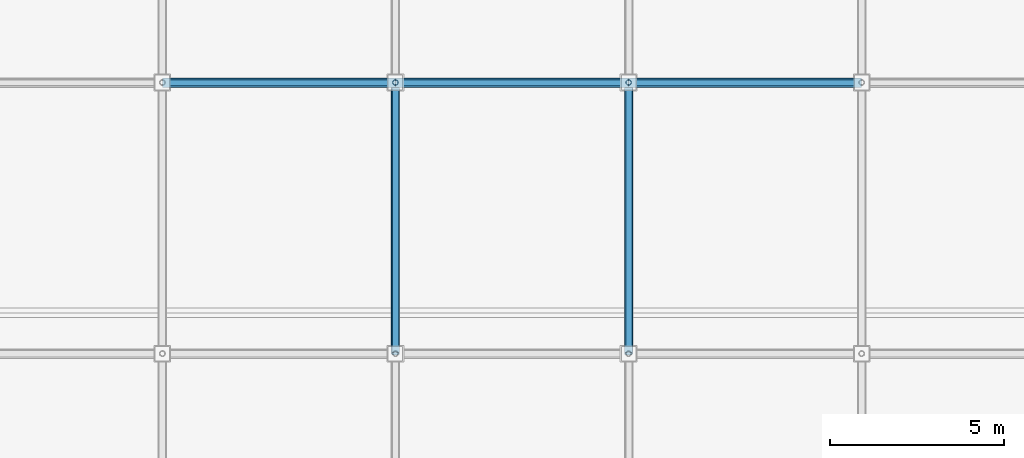
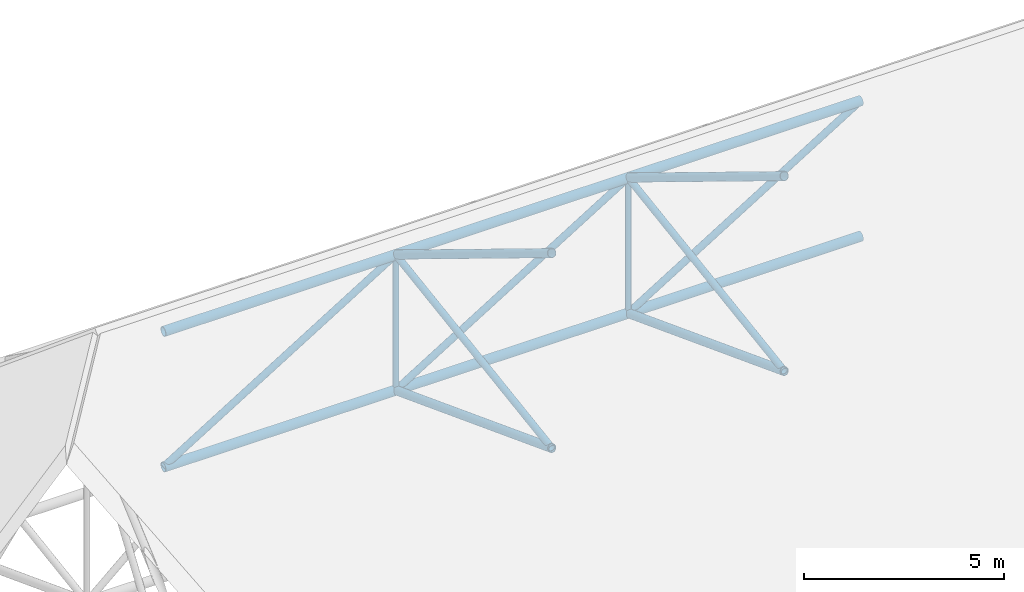
# One storey, part 29 of 77: 17 members.
"""IFC4 building model written with IfcOpenShell, lengths in metres."""

from ifc_helpers import new_model, si_unit, direction, frame, origin, origin_2d, place, context, subcontext, project, spatial, hollow_circle, extrude, material, material_profile, profile_set, type_object, element, save


model = new_model("IFC4")

# Units and contexts
model_context = context("Model", 3, precision=1e-05, world=origin(), true_north=direction((0.0, 1.0)))
body_context = subcontext(model_context, "Body", "Model", "MODEL_VIEW")
ifc_project = project(units=[si_unit("LENGTHUNIT", "METRE"), si_unit("AREAUNIT", "SQUARE_METRE"), si_unit("VOLUMEUNIT", "CUBIC_METRE"), si_unit("PLANEANGLEUNIT", "RADIAN"), si_unit("MASSUNIT", "GRAM", prefix="KILO")], contexts=[model_context])

# Site, building, storey
site_placement = place(None, origin())
site = spatial("IfcSite", under=ifc_project, at=site_placement, CompositionType="ELEMENT")
building_placement = place(site_placement, origin())
building = spatial("IfcBuilding", under=site, at=building_placement, Name="Nabrawat Pavilion Hospital", CompositionType="ELEMENT")
storey_placement = place(building_placement, frame((0.0, 0.0, 14.85009765625)))
storey = spatial("IfcBuildingStorey", under=building, at=storey_placement, Name="L03", CompositionType="ELEMENT", Elevation=14.85009765625)

# Members
ifc_material = material(Name="Steel S355", Category="steel")
ifc_material_profile_1 = material_profile(ifc_material, hollow_circle(Radius=0.136474609375, WallThickness=0.012451171875, at=origin_2d()), Name="CHS 273x12.5")
ifc_profile_set_1 = profile_set([ifc_material_profile_1], Name="Steel S355")
member_type_1 = type_object("IfcMemberType", Name="Space Frame Primary Chord CHS 273x12.5", PredefinedType="CHORD", material=ifc_profile_set_1)
for number, where, z_axis, x_axis, name in (
    (1, (79.0439453125, 31.199951171875, 6.432861328125), (1.0, 0.0, 0.0), (0.0, 1.0, 0.0), "Space Frame Chord Top X 0090"),
    (2, (79.0439453125, 31.199951171875, 2.298583984375), (1.0, 0.0, 0.0), (0.0, 1.0, 0.0), "Space Frame Chord Bottom X 0091"),
    (3, (85.751953125, 31.199951171875, 6.432861328125), (1.0, 0.0, 0.0), (0.0, 1.0, 0.0), "Space Frame Chord Top X 0115"),
    (4, (85.751953125, 31.199951171875, 2.298583984375), (1.0, 0.0, 0.0), (0.0, 1.0, 0.0), "Space Frame Chord Bottom X 0116"),
    (5, (92.4599609375, 31.199951171875, 6.432861328125), (1.0, 0.0, 0.0), (0.0, 1.0, 0.0), "Space Frame Chord Top X 0140"),
    (6, (92.4599609375, 31.199951171875, 2.298583984375), (1.0, 0.0, 0.0), (0.0, 1.0, 0.0), "Space Frame Chord Bottom X 0141"),
):
    element("IfcMember", number, at=place(storey_placement, frame(where, z_axis=z_axis, x_axis=x_axis)), inside=storey, type_object=member_type_1, Name=name, PredefinedType="CHORD", context=body_context, shape_type="SweptSolid", body=[
        extrude(hollow_circle(Radius=0.136474609375, WallThickness=0.012451171875, at=origin_2d()), origin(), (0.0, 0.0, 1.0), 6.7080078125),
    ])
ifc_material_profile_2 = material_profile(ifc_material, hollow_circle(Radius=0.096923828125, WallThickness=0.010009765625, at=origin_2d()), Name="CHS 193.7x10")
ifc_profile_set_2 = profile_set([ifc_material_profile_2], Name="Steel S355")
member_type_2 = type_object("IfcMemberType", Name="Space Frame Primary Diagonal CHS 193.7x10", PredefinedType="BRACE", material=ifc_profile_set_2)
member_1_placement = place(storey_placement, frame((79.0439453125, 31.199951171875, 2.298583984375), z_axis=(0.851302807991, 0.0, 0.524674688838), x_axis=(0.0, 1.0, 0.0)))
element("IfcMember", 7, at=member_1_placement, inside=storey, type_object=member_type_2, Name="Space Frame Diagonal Web X 0095", PredefinedType="BRACE", context=body_context, shape_type="SweptSolid", body=[
    extrude(hollow_circle(Radius=0.096923828125, WallThickness=0.010009765625, at=origin_2d()), origin(), (0.0, 0.0, 1.0), 7.879638671875),
])
member_2_placement = place(storey_placement, frame((85.751953125, 23.39990234375, 5.260498046875), z_axis=(0.0, 0.988892492278, 0.148632562769), x_axis=(-1.0, 0.0, 0.0)))
element("IfcMember", 8, at=member_2_placement, inside=storey, type_object=member_type_2, Name="Space Frame Diagonal Web Y 0114", PredefinedType="BRACE", context=body_context, shape_type="SweptSolid", body=[
    extrude(hollow_circle(Radius=0.096923828125, WallThickness=0.010009765625, at=origin_2d()), origin(), (0.0, 0.0, 1.0), 7.8876953125),
])
member_3_placement = place(storey_placement, frame((85.751953125, 31.199951171875, 2.298583984375), z_axis=(0.851302807991, 0.0, 0.524674688838), x_axis=(0.0, 1.0, 0.0)))
element("IfcMember", 9, at=member_3_placement, inside=storey, type_object=member_type_2, Name="Space Frame Diagonal Web X 0120", PredefinedType="BRACE", context=body_context, shape_type="SweptSolid", body=[
    extrude(hollow_circle(Radius=0.096923828125, WallThickness=0.010009765625, at=origin_2d()), origin(), (0.0, 0.0, 1.0), 7.879638671875),
])
member_4_placement = place(storey_placement, frame((92.4599609375, 23.39990234375, 5.260498046875), z_axis=(0.0, 0.988892492278, 0.148632562769), x_axis=(-1.0, 0.0, 0.0)))
element("IfcMember", 10, at=member_4_placement, inside=storey, type_object=member_type_2, Name="Space Frame Diagonal Web Y 0139", PredefinedType="BRACE", context=body_context, shape_type="SweptSolid", body=[
    extrude(hollow_circle(Radius=0.096923828125, WallThickness=0.010009765625, at=origin_2d()), origin(), (0.0, 0.0, 1.0), 7.8876953125),
])
member_5_placement = place(storey_placement, frame((92.4599609375, 31.199951171875, 2.298583984375), z_axis=(0.851302807991, 0.0, 0.524674688838), x_axis=(0.0, 1.0, 0.0)))
element("IfcMember", 11, at=member_5_placement, inside=storey, type_object=member_type_2, Name="Space Frame Diagonal Web X 0145", PredefinedType="BRACE", context=body_context, shape_type="SweptSolid", body=[
    extrude(hollow_circle(Radius=0.096923828125, WallThickness=0.010009765625, at=origin_2d()), origin(), (0.0, 0.0, 1.0), 7.879638671875),
])
ifc_material_profile_3 = material_profile(ifc_material, hollow_circle(Radius=0.122314453125, WallThickness=0.012451171875, at=origin_2d()), Name="CHS 244.5x12.5")
ifc_profile_set_3 = profile_set([ifc_material_profile_3], Name="Steel S355")
member_type_3 = type_object("IfcMemberType", Name="Space Frame Transverse Chord CHS 244.5x12.5", PredefinedType="CHORD", material=ifc_profile_set_3)
member_6_placement = place(storey_placement, frame((85.751953125, 23.39990234375, 11.2099609375), z_axis=(0.0, 0.852775367849, -0.522277868562), x_axis=(-1.0, 0.0, 0.0)))
element("IfcMember", 12, at=member_6_placement, inside=storey, type_object=member_type_3, Name="Space Frame Chord Top Y 0110", PredefinedType="CHORD", context=body_context, shape_type="SweptSolid", body=[
    extrude(hollow_circle(Radius=0.122314453125, WallThickness=0.012451171875, at=origin_2d()), origin(), (0.0, 0.0, 1.0), 9.146728515625),
])
member_7_placement = place(storey_placement, frame((85.751953125, 23.39990234375, 5.260498046875), z_axis=(0.0, 0.934867308635, -0.354997345406), x_axis=(-1.0, 0.0, 0.0)))
element("IfcMember", 13, at=member_7_placement, inside=storey, type_object=member_type_3, Name="Space Frame Chord Bottom Y 0111", PredefinedType="CHORD", context=body_context, shape_type="SweptSolid", body=[
    extrude(hollow_circle(Radius=0.122314453125, WallThickness=0.012451171875, at=origin_2d()), origin(), (0.0, 0.0, 1.0), 8.343505859375),
])
member_8_placement = place(storey_placement, frame((92.4599609375, 23.39990234375, 11.2099609375), z_axis=(0.0, 0.852775367849, -0.522277868562), x_axis=(-1.0, 0.0, 0.0)))
element("IfcMember", 14, at=member_8_placement, inside=storey, type_object=member_type_3, Name="Space Frame Chord Top Y 0135", PredefinedType="CHORD", context=body_context, shape_type="SweptSolid", body=[
    extrude(hollow_circle(Radius=0.122314453125, WallThickness=0.012451171875, at=origin_2d()), origin(), (0.0, 0.0, 1.0), 9.146728515625),
])
member_9_placement = place(storey_placement, frame((92.4599609375, 23.39990234375, 5.260498046875), z_axis=(0.0, 0.934867308635, -0.354997345406), x_axis=(-1.0, 0.0, 0.0)))
element("IfcMember", 15, at=member_9_placement, inside=storey, type_object=member_type_3, Name="Space Frame Chord Bottom Y 0136", PredefinedType="CHORD", context=body_context, shape_type="SweptSolid", body=[
    extrude(hollow_circle(Radius=0.122314453125, WallThickness=0.012451171875, at=origin_2d()), origin(), (0.0, 0.0, 1.0), 8.343505859375),
])
ifc_material_profile_4 = material_profile(ifc_material, hollow_circle(Radius=0.07958984375, WallThickness=0.008056640625, at=origin_2d()), Name="CHS 159x8")
ifc_profile_set_4 = profile_set([ifc_material_profile_4], Name="Steel S355")
member_type_4 = type_object("IfcMemberType", Name="Space Frame Vertical Web Post CHS 159x8", PredefinedType="BRACE", material=ifc_profile_set_4)
for number, where, z_axis, x_axis, name in (
    (16, (85.751953125, 31.199951171875, 2.298583984375), (0.0, 0.0, 1.0), (1.0, 0.0, 0.0), "Space Frame Diagonal Post 0119"),
    (17, (92.4599609375, 31.199951171875, 2.298583984375), (0.0, 0.0, 1.0), (1.0, 0.0, 0.0), "Space Frame Diagonal Post 0144"),
):
    element("IfcMember", number, at=place(storey_placement, frame(where, z_axis=z_axis, x_axis=x_axis)), inside=storey, type_object=member_type_4, Name=name, PredefinedType="BRACE", context=body_context, shape_type="SweptSolid", body=[
        extrude(hollow_circle(Radius=0.07958984375, WallThickness=0.008056640625, at=origin_2d()), origin(), (0.0, 0.0, 1.0), 4.13427734375),
    ])

save(model, "model.ifc")
